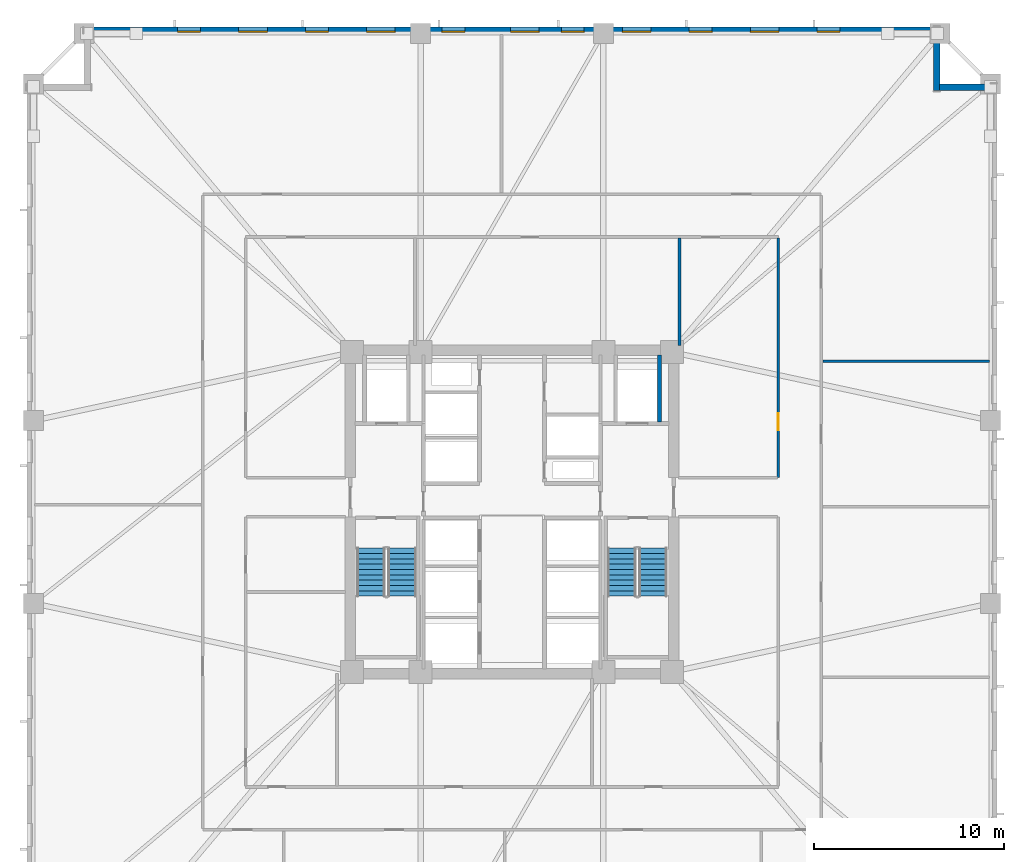
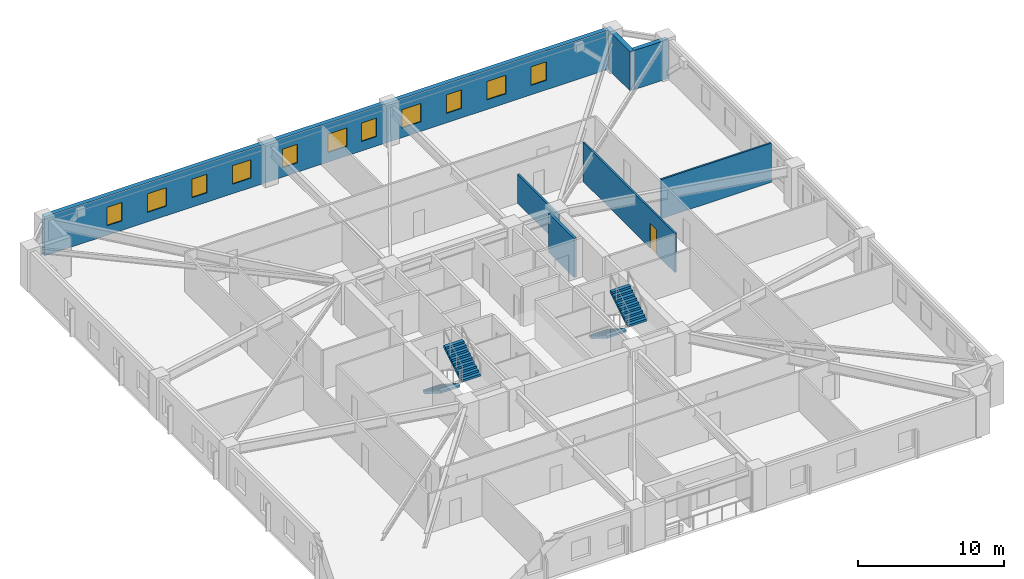
# One storey, part 6 of 11: 11 windows, 7 walls, 4 stair flights, 1 door, 12 openings, 2 elements without a shape of their own.
"""IFC4 building model written with IfcOpenShell, lengths in metres."""

from ifc_helpers import new_model, si_unit, direction, frame, frame_2d, origin, place, context, subcontext, project, spatial, polyline, rectangle, outline, extrude, material, layer, layer_set, type_object, element, fill, aggregate, save


model = new_model("IFC4")

# Units and contexts
model_context = context("Model", 3, precision=1e-05, world=origin(), true_north=direction((0.0, 1.0)))
body_context = subcontext(model_context, "Body", "Model", "MODEL_VIEW")
ifc_project = project(units=[si_unit("LENGTHUNIT", "METRE"), si_unit("AREAUNIT", "SQUARE_METRE"), si_unit("VOLUMEUNIT", "CUBIC_METRE"), si_unit("PLANEANGLEUNIT", "RADIAN"), si_unit("MASSUNIT", "GRAM", prefix="KILO")], contexts=[model_context])

# Site, building, storey
site_placement = place(None, origin())
site = spatial("IfcSite", under=ifc_project, at=site_placement, CompositionType="ELEMENT")
building_placement = place(site_placement, origin())
building = spatial("IfcBuilding", under=site, at=building_placement, Name="Cairnveth Concourse Tower", CompositionType="ELEMENT")
storey_placement = place(building_placement, frame((0.0, 0.0, 41.0)))
storey = spatial("IfcBuildingStorey", under=building, at=storey_placement, Name="L10", CompositionType="ELEMENT", Elevation=41.0)

# Wall
ifc_material_1 = material(Name="Concrete N50 (50 MPa)", Category="concrete")
ifc_layer_1 = layer(ifc_material_1, 0.199951171875)
ifc_layer_set_1 = layer_set([ifc_layer_1], Name="Concrete N50 (50 MPa)")
wall_type_1 = type_object("IfcWallType", Name="FIRE SHAFT WALL 200", PredefinedType="SOLIDWALL", material=ifc_layer_set_1)
wall_1_placement = place(storey_placement, frame((59.75, 43.735107421875, 0.0), z_axis=(0.0, 0.0, 1.0), x_axis=(0.0, 1.0, 0.0)))
element("IfcWall", 1, at=wall_1_placement, inside=storey, type_object=wall_type_1, Name="Interior Wall IW-L10-024", PredefinedType="SOLIDWALL", context=body_context, shape_type="SweptSolid", body=[
    extrude(rectangle(XDim=3.5048828125, YDim=0.199951171875, at=frame_2d((1.75244140625, 0.0))), origin(), (0.0, 0.0, 1.0), 3.280029296875),
])

# Wall, opening, door
ifc_material_2 = material(Name="Gypsum Plasterboard Partition", Category="gypsum")
ifc_layer_2 = layer(ifc_material_2, 0.139892578125)
ifc_layer_set_2 = layer_set([ifc_layer_2], Name="Gypsum Plasterboard Partition")
wall_type_2 = type_object("IfcWallType", Name="GYPSUM STUD PARTITION 140", PredefinedType="PARTITIONING", material=ifc_layer_set_2)
wall_2_placement = place(storey_placement, frame((66.0, 40.800048828125, 0.0), z_axis=(0.0, 0.0, 1.0), x_axis=(0.0, 1.0, 0.0)))
wall_2 = element("IfcWall", 2, at=wall_2_placement, inside=storey, type_object=wall_type_2, Name="Interior Wall IW-L10-048", PredefinedType="PARTITIONING", context=body_context, shape_type="SweptSolid", body=[
    extrude(rectangle(XDim=12.594970703125, YDim=0.139892578125, at=frame_2d((6.29736328125, 0.0))), origin(), (0.0, 0.0, 1.0), 3.280029296875),
])
opening_1_placement = place(wall_2_placement, frame((2.5, 0.0, 0.0)))
opening_1 = element("IfcOpeningElement", 3, at=opening_1_placement, cuts=wall_2, Name="Opening ID18", PredefinedType="OPENING", context=body_context, shape_type="SweptSolid", body=[
    extrude(rectangle(XDim=0.8798828125, YDim=2.10009765625, at=frame_2d((0.43994140625, 1.050048828125))), frame((0.0, 0.079833984375, 0.0), z_axis=(0.0, -1.0, 0.0), x_axis=(1.0, 0.0, 0.0)), (0.0, 0.0, 1.0), 0.159912109375),
])
ifc_material_3 = material(Name="Solid Core Hardwood Timber Leaf", Category="wood")
door_type = type_object("IfcDoorType", Name="INTERIOR SINGLE DOOR 880X2100", OperationType="NOTDEFINED", PredefinedType="DOOR", material=ifc_material_3)
door_placement = place(opening_1_placement, origin())
door = element("IfcDoor", 4, at=door_placement, inside=storey, type_object=door_type, Name="Interior Door DR-L10-023", OperationType="SINGLE_SWING_LEFT", OverallHeight=2.10009765625, OverallWidth=0.8798828125, PredefinedType="DOOR", context=body_context, shape_type="SweptSolid", body=[
    extrude(rectangle(XDim=0.8798828125, YDim=2.10009765625, at=frame_2d((0.43994140625, 1.050048828125))), frame((0.0, 0.02490234375, 0.0), z_axis=(0.0, -1.0, 0.0), x_axis=(1.0, 0.0, 0.0)), (0.0, 0.0, 1.0), 0.050048828125),
])
fill(opening_1, door)

# Walls
wall_3_placement = place(storey_placement, frame((60.800048828125, 47.760009765625, 0.0), z_axis=(0.0, 0.0, 1.0), x_axis=(0.0, 1.0, 0.0)))
element("IfcWall", 5, at=wall_3_placement, inside=storey, type_object=wall_type_2, Name="Interior Wall IW-L10-054", PredefinedType="PARTITIONING", context=body_context, shape_type="SweptSolid", body=[
    extrude(rectangle(XDim=5.635009765625, YDim=0.139892578125, at=frame_2d((2.8173828125, 0.0))), origin(), (0.0, 0.0, 1.0), 2.43896484375),
])
wall_4_placement = place(storey_placement, frame((68.35009765625, 46.913330078125, 0.0), z_axis=(0.0, 0.0, 1.0), x_axis=(1.0, 0.0, 0.0)))
element("IfcWall", 6, at=wall_4_placement, inside=storey, type_object=wall_type_2, Name="Interior Wall IW-L10-063", PredefinedType="PARTITIONING", context=body_context, shape_type="SweptSolid", body=[
    extrude(rectangle(XDim=8.72998046875, YDim=0.139892578125, at=frame_2d((4.364990234375, 0.0))), origin(), (0.0, 0.0, 1.0), 3.280029296875),
])

# Wall, openings, windows
ifc_material_4 = material(Name="Hawthorn Red-Ochre Fired Clay Brick Masonry", Category="masonry")
ifc_layer_3 = layer(ifc_material_4, 0.360107421875)
ifc_layer_set_3 = layer_set([ifc_layer_3], Name="Hawthorn Red-Ochre Fired Clay Brick Masonry")
wall_type_3 = type_object("IfcWallType", Name="ZONE 1 BRICK PIER SPANDREL WALL 360", PredefinedType="SOLIDWALL", material=ifc_layer_set_3)
wall_5_placement = place(storey_placement, frame((29.5, 64.320068359375, 0.0), z_axis=(0.0, 0.0, 1.0), x_axis=(1.0, 0.0, 0.0)))
wall_5 = element("IfcWall", 7, at=wall_5_placement, inside=storey, type_object=wall_type_3, Name="Exterior Wall EW-L10-S06", PredefinedType="SOLIDWALL", context=body_context, shape_type="SweptSolid", body=[
    extrude(rectangle(XDim=44.662109375, YDim=0.360107421875, at=frame_2d((22.3310546875, 0.0))), origin(), (0.0, 0.0, 1.0), 3.280029296875),
])
opening_2_placement = place(wall_5_placement, frame((4.93017578125, 0.0, 0.800048828125)))
opening_2 = element("IfcOpeningElement", 8, at=opening_2_placement, cuts=wall_5, Name="Opening W01", PredefinedType="OPENING", context=body_context, shape_type="SweptSolid", body=[
    extrude(rectangle(XDim=1.199951171875, YDim=1.5439453125, at=frame_2d((0.60009765625, 0.77197265625))), frame((0.0, 0.18994140625, 0.0), z_axis=(0.0, -1.0, 0.0), x_axis=(1.0, 0.0, 0.0)), (0.0, 0.0, 1.0), 0.380126953125),
])
opening_3_placement = place(wall_5_placement, frame((8.140380859375, 0.0, 0.800048828125)))
opening_3 = element("IfcOpeningElement", 9, at=opening_3_placement, cuts=wall_5, Name="Opening W03", PredefinedType="OPENING", context=body_context, shape_type="SweptSolid", body=[
    extrude(rectangle(XDim=1.5, YDim=1.5439453125, at=frame_2d((0.75, 0.77197265625))), frame((0.0, 0.18994140625, 0.0), z_axis=(0.0, -1.0, 0.0), x_axis=(1.0, 0.0, 0.0)), (0.0, 0.0, 1.0), 0.380126953125),
])
opening_4_placement = place(wall_5_placement, frame((11.650390625, 0.0, 0.800048828125)))
opening_4 = element("IfcOpeningElement", 10, at=opening_4_placement, cuts=wall_5, Name="Opening W01", PredefinedType="OPENING", context=body_context, shape_type="SweptSolid", body=[
    extrude(rectangle(XDim=1.199951171875, YDim=1.5439453125, at=frame_2d((0.60009765625, 0.77197265625))), frame((0.0, 0.18994140625, 0.0), z_axis=(0.0, -1.0, 0.0), x_axis=(1.0, 0.0, 0.0)), (0.0, 0.0, 1.0), 0.380126953125),
])
opening_5_placement = place(wall_5_placement, frame((14.860595703125, 0.0, 0.800048828125)))
opening_5 = element("IfcOpeningElement", 11, at=opening_5_placement, cuts=wall_5, Name="Opening W03", PredefinedType="OPENING", context=body_context, shape_type="SweptSolid", body=[
    extrude(rectangle(XDim=1.5, YDim=1.5439453125, at=frame_2d((0.75, 0.77197265625))), frame((0.0, 0.18994140625, 0.0), z_axis=(0.0, -1.0, 0.0), x_axis=(1.0, 0.0, 0.0)), (0.0, 0.0, 1.0), 0.380126953125),
])
opening_6_placement = place(wall_5_placement, frame((18.82080078125, 0.0, 0.800048828125)))
opening_6 = element("IfcOpeningElement", 12, at=opening_6_placement, cuts=wall_5, Name="Opening W01", PredefinedType="OPENING", context=body_context, shape_type="SweptSolid", body=[
    extrude(rectangle(XDim=1.199951171875, YDim=1.5439453125, at=frame_2d((0.60009765625, 0.77197265625))), frame((0.0, 0.18994140625, 0.0), z_axis=(0.0, -1.0, 0.0), x_axis=(1.0, 0.0, 0.0)), (0.0, 0.0, 1.0), 0.380126953125),
])
opening_7_placement = place(wall_5_placement, frame((22.430908203125, 0.0, 0.800048828125)))
opening_7 = element("IfcOpeningElement", 13, at=opening_7_placement, cuts=wall_5, Name="Opening W03", PredefinedType="OPENING", context=body_context, shape_type="SweptSolid", body=[
    extrude(rectangle(XDim=1.5, YDim=1.5439453125, at=frame_2d((0.75, 0.77197265625))), frame((0.0, 0.18994140625, 0.0), z_axis=(0.0, -1.0, 0.0), x_axis=(1.0, 0.0, 0.0)), (0.0, 0.0, 1.0), 0.380126953125),
])
opening_8_placement = place(wall_5_placement, frame((25.09130859375, 0.0, 0.800048828125)))
opening_8 = element("IfcOpeningElement", 14, at=opening_8_placement, cuts=wall_5, Name="Opening W01", PredefinedType="OPENING", context=body_context, shape_type="SweptSolid", body=[
    extrude(rectangle(XDim=1.199951171875, YDim=1.5439453125, at=frame_2d((0.60009765625, 0.77197265625))), frame((0.0, 0.18994140625, 0.0), z_axis=(0.0, -1.0, 0.0), x_axis=(1.0, 0.0, 0.0)), (0.0, 0.0, 1.0), 0.380126953125),
])
opening_9_placement = place(wall_5_placement, frame((28.301513671875, 0.0, 0.800048828125)))
opening_9 = element("IfcOpeningElement", 15, at=opening_9_placement, cuts=wall_5, Name="Opening W03", PredefinedType="OPENING", context=body_context, shape_type="SweptSolid", body=[
    extrude(rectangle(XDim=1.5, YDim=1.5439453125, at=frame_2d((0.75, 0.77197265625))), frame((0.0, 0.18994140625, 0.0), z_axis=(0.0, -1.0, 0.0), x_axis=(1.0, 0.0, 0.0)), (0.0, 0.0, 1.0), 0.380126953125),
])
opening_10_placement = place(wall_5_placement, frame((31.8115234375, 0.0, 0.800048828125)))
opening_10 = element("IfcOpeningElement", 16, at=opening_10_placement, cuts=wall_5, Name="Opening W01", PredefinedType="OPENING", context=body_context, shape_type="SweptSolid", body=[
    extrude(rectangle(XDim=1.199951171875, YDim=1.5439453125, at=frame_2d((0.60009765625, 0.77197265625))), frame((0.0, 0.18994140625, 0.0), z_axis=(0.0, -1.0, 0.0), x_axis=(1.0, 0.0, 0.0)), (0.0, 0.0, 1.0), 0.380126953125),
])
opening_11_placement = place(wall_5_placement, frame((35.021728515625, 0.0, 0.800048828125)))
opening_11 = element("IfcOpeningElement", 17, at=opening_11_placement, cuts=wall_5, Name="Opening W03", PredefinedType="OPENING", context=body_context, shape_type="SweptSolid", body=[
    extrude(rectangle(XDim=1.5, YDim=1.5439453125, at=frame_2d((0.75, 0.77197265625))), frame((0.0, 0.18994140625, 0.0), z_axis=(0.0, -1.0, 0.0), x_axis=(1.0, 0.0, 0.0)), (0.0, 0.0, 1.0), 0.380126953125),
])
opening_12_placement = place(wall_5_placement, frame((38.531982421875, 0.0, 0.800048828125)))
opening_12 = element("IfcOpeningElement", 18, at=opening_12_placement, cuts=wall_5, Name="Opening W01", PredefinedType="OPENING", context=body_context, shape_type="SweptSolid", body=[
    extrude(rectangle(XDim=1.199951171875, YDim=1.5439453125, at=frame_2d((0.60009765625, 0.77197265625))), frame((0.0, 0.18994140625, 0.0), z_axis=(0.0, -1.0, 0.0), x_axis=(1.0, 0.0, 0.0)), (0.0, 0.0, 1.0), 0.380126953125),
])
ifc_material_5 = material(Name="Double Glazed Low-E Clear Glass", Category="glass")
window_type_1 = type_object("IfcWindowType", Name="DEEP-SET GOTHIC LANCET WINDOW 1200X1800", PartitioningType="DOUBLE_PANEL_VERTICAL", PredefinedType="WINDOW", material=ifc_material_5)
window_1_placement = place(opening_2_placement, origin())
window_1 = element("IfcWindow", 19, at=window_1_placement, inside=storey, type_object=window_type_1, Name="Gothic Lancet Window L10-6-1", OverallHeight=1.5439453125, OverallWidth=1.199951171875, PartitioningType="SINGLE_PANEL", PredefinedType="WINDOW", context=body_context, shape_type="SweptSolid", body=[
    extrude(rectangle(XDim=1.199951171875, YDim=1.5439453125, at=frame_2d((0.60009765625, 0.77197265625))), frame((0.0, -0.050048828125, 0.0), z_axis=(0.0, -1.0, 0.0), x_axis=(1.0, 0.0, 0.0)), (0.0, 0.0, 1.0), 0.06005859375),
])
fill(opening_2, window_1)
window_2_placement = place(opening_4_placement, origin())
window_2 = element("IfcWindow", 20, at=window_2_placement, inside=storey, type_object=window_type_1, Name="Gothic Lancet Window L10-6-3", OverallHeight=1.5439453125, OverallWidth=1.199951171875, PartitioningType="SINGLE_PANEL", PredefinedType="WINDOW", context=body_context, shape_type="SweptSolid", body=[
    extrude(rectangle(XDim=1.199951171875, YDim=1.5439453125, at=frame_2d((0.60009765625, 0.77197265625))), frame((0.0, -0.050048828125, 0.0), z_axis=(0.0, -1.0, 0.0), x_axis=(1.0, 0.0, 0.0)), (0.0, 0.0, 1.0), 0.06005859375),
])
fill(opening_4, window_2)
window_3_placement = place(opening_6_placement, origin())
window_3 = element("IfcWindow", 21, at=window_3_placement, inside=storey, type_object=window_type_1, Name="Gothic Lancet Window L10-6-5", OverallHeight=1.5439453125, OverallWidth=1.199951171875, PartitioningType="SINGLE_PANEL", PredefinedType="WINDOW", context=body_context, shape_type="SweptSolid", body=[
    extrude(rectangle(XDim=1.199951171875, YDim=1.5439453125, at=frame_2d((0.60009765625, 0.77197265625))), frame((0.0, -0.050048828125, 0.0), z_axis=(0.0, -1.0, 0.0), x_axis=(1.0, 0.0, 0.0)), (0.0, 0.0, 1.0), 0.06005859375),
])
fill(opening_6, window_3)
window_4_placement = place(opening_8_placement, origin())
window_4 = element("IfcWindow", 22, at=window_4_placement, inside=storey, type_object=window_type_1, Name="Gothic Lancet Window L10-6-7", OverallHeight=1.5439453125, OverallWidth=1.199951171875, PartitioningType="SINGLE_PANEL", PredefinedType="WINDOW", context=body_context, shape_type="SweptSolid", body=[
    extrude(rectangle(XDim=1.199951171875, YDim=1.5439453125, at=frame_2d((0.60009765625, 0.77197265625))), frame((0.0, -0.050048828125, 0.0), z_axis=(0.0, -1.0, 0.0), x_axis=(1.0, 0.0, 0.0)), (0.0, 0.0, 1.0), 0.06005859375),
])
fill(opening_8, window_4)
window_5_placement = place(opening_10_placement, origin())
window_5 = element("IfcWindow", 23, at=window_5_placement, inside=storey, type_object=window_type_1, Name="Gothic Lancet Window L10-6-9", OverallHeight=1.5439453125, OverallWidth=1.199951171875, PartitioningType="SINGLE_PANEL", PredefinedType="WINDOW", context=body_context, shape_type="SweptSolid", body=[
    extrude(rectangle(XDim=1.199951171875, YDim=1.5439453125, at=frame_2d((0.60009765625, 0.77197265625))), frame((0.0, -0.050048828125, 0.0), z_axis=(0.0, -1.0, 0.0), x_axis=(1.0, 0.0, 0.0)), (0.0, 0.0, 1.0), 0.06005859375),
])
fill(opening_10, window_5)
window_6_placement = place(opening_12_placement, origin())
window_6 = element("IfcWindow", 24, at=window_6_placement, inside=storey, type_object=window_type_1, Name="Gothic Lancet Window L10-6-11", OverallHeight=1.5439453125, OverallWidth=1.199951171875, PartitioningType="SINGLE_PANEL", PredefinedType="WINDOW", context=body_context, shape_type="SweptSolid", body=[
    extrude(rectangle(XDim=1.199951171875, YDim=1.5439453125, at=frame_2d((0.60009765625, 0.77197265625))), frame((0.0, -0.050048828125, 0.0), z_axis=(0.0, -1.0, 0.0), x_axis=(1.0, 0.0, 0.0)), (0.0, 0.0, 1.0), 0.06005859375),
])
fill(opening_12, window_6)
window_type_2 = type_object("IfcWindowType", Name="DEEP-SET GOTHIC LANCET WINDOW 1500X1800", PartitioningType="DOUBLE_PANEL_VERTICAL", PredefinedType="WINDOW", material=ifc_material_5)
window_7_placement = place(opening_3_placement, origin())
window_7 = element("IfcWindow", 25, at=window_7_placement, inside=storey, type_object=window_type_2, Name="Gothic Lancet Window L10-6-2", OverallHeight=1.5439453125, OverallWidth=1.5, PartitioningType="SINGLE_PANEL", PredefinedType="WINDOW", context=body_context, shape_type="SweptSolid", body=[
    extrude(rectangle(XDim=1.5, YDim=1.5439453125, at=frame_2d((0.75, 0.77197265625))), frame((0.0, -0.050048828125, 0.0), z_axis=(0.0, -1.0, 0.0), x_axis=(1.0, 0.0, 0.0)), (0.0, 0.0, 1.0), 0.06005859375),
])
fill(opening_3, window_7)
window_8_placement = place(opening_5_placement, origin())
window_8 = element("IfcWindow", 26, at=window_8_placement, inside=storey, type_object=window_type_2, Name="Gothic Lancet Window L10-6-4", OverallHeight=1.5439453125, OverallWidth=1.5, PartitioningType="SINGLE_PANEL", PredefinedType="WINDOW", context=body_context, shape_type="SweptSolid", body=[
    extrude(rectangle(XDim=1.5, YDim=1.5439453125, at=frame_2d((0.75, 0.77197265625))), frame((0.0, -0.050048828125, 0.0), z_axis=(0.0, -1.0, 0.0), x_axis=(1.0, 0.0, 0.0)), (0.0, 0.0, 1.0), 0.06005859375),
])
fill(opening_5, window_8)
window_9_placement = place(opening_7_placement, origin())
window_9 = element("IfcWindow", 27, at=window_9_placement, inside=storey, type_object=window_type_2, Name="Gothic Lancet Window L10-6-6", OverallHeight=1.5439453125, OverallWidth=1.5, PartitioningType="SINGLE_PANEL", PredefinedType="WINDOW", context=body_context, shape_type="SweptSolid", body=[
    extrude(rectangle(XDim=1.5, YDim=1.5439453125, at=frame_2d((0.75, 0.77197265625))), frame((0.0, -0.050048828125, 0.0), z_axis=(0.0, -1.0, 0.0), x_axis=(1.0, 0.0, 0.0)), (0.0, 0.0, 1.0), 0.06005859375),
])
fill(opening_7, window_9)
window_10_placement = place(opening_9_placement, origin())
window_10 = element("IfcWindow", 28, at=window_10_placement, inside=storey, type_object=window_type_2, Name="Gothic Lancet Window L10-6-8", OverallHeight=1.5439453125, OverallWidth=1.5, PartitioningType="SINGLE_PANEL", PredefinedType="WINDOW", context=body_context, shape_type="SweptSolid", body=[
    extrude(rectangle(XDim=1.5, YDim=1.5439453125, at=frame_2d((0.75, 0.77197265625))), frame((0.0, -0.050048828125, 0.0), z_axis=(0.0, -1.0, 0.0), x_axis=(1.0, 0.0, 0.0)), (0.0, 0.0, 1.0), 0.06005859375),
])
fill(opening_9, window_10)
window_11_placement = place(opening_11_placement, origin())
window_11 = element("IfcWindow", 29, at=window_11_placement, inside=storey, type_object=window_type_2, Name="Gothic Lancet Window L10-6-10", OverallHeight=1.5439453125, OverallWidth=1.5, PartitioningType="SINGLE_PANEL", PredefinedType="WINDOW", context=body_context, shape_type="SweptSolid", body=[
    extrude(rectangle(XDim=1.5, YDim=1.5439453125, at=frame_2d((0.75, 0.77197265625))), frame((0.0, -0.050048828125, 0.0), z_axis=(0.0, -1.0, 0.0), x_axis=(1.0, 0.0, 0.0)), (0.0, 0.0, 1.0), 0.06005859375),
])
fill(opening_11, window_11)

# Walls
wall_6_placement = place(storey_placement, frame((74.320068359375, 64.5, 0.0), z_axis=(0.0, 0.0, 1.0), x_axis=(0.0, -1.0, 0.0)))
element("IfcWall", 30, at=wall_6_placement, inside=storey, type_object=wall_type_3, Name="Exterior Wall EW-L10-S07", PredefinedType="SOLIDWALL", context=body_context, shape_type="SweptSolid", body=[
    extrude(rectangle(XDim=3.360107421875, YDim=0.360107421875, at=frame_2d((1.68017578125, 0.0))), origin(), (0.0, 0.0, 1.0), 3.280029296875),
])
wall_7_placement = place(storey_placement, frame((74.47802734375, 61.320068359375, 0.0), z_axis=(0.0, 0.0, 1.0), x_axis=(1.0, 0.0, 0.0)))
element("IfcWall", 31, at=wall_7_placement, inside=storey, type_object=wall_type_3, Name="Exterior Wall EW-L10-S08", PredefinedType="SOLIDWALL", context=body_context, shape_type="SweptSolid", body=[
    extrude(rectangle(XDim=2.68408203125, YDim=0.360107421875, at=frame_2d((1.342041015625, 0.0))), origin(), (0.0, 0.0, 1.0), 3.280029296875),
])

# Stair, stair flights
ifc_material_6 = material(Name="Precast concrete N50 (50 MPa)", Category="concrete")
stair_type = type_object("IfcStairType", Name="CORE DOG-LEG FIRE STAIR 1500", PredefinedType="HALF_TURN_STAIR", material=ifc_material_6)
stair_1_placement = place(storey_placement, origin())
stair_1 = element("IfcStair", 32, at=stair_1_placement, inside=storey, type_object=stair_type, Name="L10 Fire-Isolated Stair ST-1", PredefinedType="HALF_TURN_STAIR")
stair_flight_type = type_object("IfcStairFlightType", Name="PRECAST CONCRETE STAIR FLIGHT 1500", PredefinedType="STRAIGHT", material=ifc_material_6)
stair_flight_1_placement = place(storey_placement, frame((44.590087890625, 37.10009765625, 0.0), z_axis=(0.0, 0.0, 1.0), x_axis=(0.0, -1.0, 0.0)))
stair_flight_1 = element("IfcStairFlight", 33, at=stair_flight_1_placement, type_object=stair_flight_type, Name="ST-1 flight 1", NumberOfRisers=10, NumberOfTreads=9, PredefinedType="STRAIGHT", RiserHeight=0.175, TreadLength=0.28, context=body_context, shape_type="SweptSolid", body=[
    extrude(outline(polyline([(0.0, 0.0), (0.0, 0.175048828125), (0.280029296875, 0.175048828125), (0.280029296875, 0.35009765625), (0.56005859375, 0.35009765625), (0.56005859375, 0.52490234375), (0.840087890625, 0.52490234375), (0.840087890625, 0.699951171875), (1.1201171875, 0.699951171875), (1.1201171875, 0.875), (1.39990234375, 0.875), (1.39990234375, 1.050048828125), (1.679931640625, 1.050048828125), (1.679931640625, 1.22509765625), (1.9599609375, 1.22509765625), (1.9599609375, 1.39990234375), (2.239990234375, 1.39990234375), (2.239990234375, 1.574951171875), (2.52001953125, 1.574951171875), (2.52001953125, 1.75), (2.52001953125, 1.398193359375), (0.28271484375, 0.0), (0.0, 0.0)])), frame((0.0, 0.75, 0.0), z_axis=(0.0, -1.0, 0.0), x_axis=(1.0, 0.0, 0.0)), (0.0, 0.0, 1.0), 1.5),
])
stair_flight_2_placement = place(storey_placement, frame((46.22998046875, 34.580078125, 1.75), z_axis=(0.0, 0.0, 1.0), x_axis=(0.0, 1.0, 0.0)))
stair_flight_2 = element("IfcStairFlight", 34, at=stair_flight_2_placement, type_object=stair_flight_type, Name="ST-1 flight 2", NumberOfRisers=10, NumberOfTreads=9, PredefinedType="STRAIGHT", RiserHeight=0.175, TreadLength=0.28, context=body_context, shape_type="SweptSolid", body=[
    extrude(outline(polyline([(0.0, 0.0), (0.0, 0.175048828125), (0.280029296875, 0.175048828125), (0.280029296875, 0.35009765625), (0.56005859375, 0.35009765625), (0.56005859375, 0.52490234375), (0.840087890625, 0.52490234375), (0.840087890625, 0.699951171875), (1.1201171875, 0.699951171875), (1.1201171875, 0.875), (1.39990234375, 0.875), (1.39990234375, 1.050048828125), (1.679931640625, 1.050048828125), (1.679931640625, 1.22509765625), (1.9599609375, 1.22509765625), (1.9599609375, 1.39990234375), (2.239990234375, 1.39990234375), (2.239990234375, 1.574951171875), (2.52001953125, 1.574951171875), (2.52001953125, 1.75), (2.52001953125, 1.398193359375), (0.28271484375, 0.0), (0.0, 0.0)])), frame((0.0, 0.75, 0.0), z_axis=(0.0, -1.0, 0.0), x_axis=(1.0, 0.0, 0.0)), (0.0, 0.0, 1.0), 1.5),
])
aggregate(stair_1, [stair_flight_1, stair_flight_2])

stair_2_placement = place(storey_placement, origin())
stair_2 = element("IfcStair", 35, at=stair_2_placement, inside=storey, type_object=stair_type, Name="L10 Fire-Isolated Stair ST-2", PredefinedType="HALF_TURN_STAIR")
stair_flight_3_placement = place(storey_placement, frame((57.77001953125, 37.10009765625, 0.0), z_axis=(0.0, 0.0, 1.0), x_axis=(0.0, -1.0, 0.0)))
stair_flight_3 = element("IfcStairFlight", 36, at=stair_flight_3_placement, type_object=stair_flight_type, Name="ST-2 flight 1", NumberOfRisers=10, NumberOfTreads=9, PredefinedType="STRAIGHT", RiserHeight=0.175, TreadLength=0.28, context=body_context, shape_type="SweptSolid", body=[
    extrude(outline(polyline([(0.0, 0.0), (0.0, 0.175048828125), (0.280029296875, 0.175048828125), (0.280029296875, 0.35009765625), (0.56005859375, 0.35009765625), (0.56005859375, 0.52490234375), (0.840087890625, 0.52490234375), (0.840087890625, 0.699951171875), (1.1201171875, 0.699951171875), (1.1201171875, 0.875), (1.39990234375, 0.875), (1.39990234375, 1.050048828125), (1.679931640625, 1.050048828125), (1.679931640625, 1.22509765625), (1.9599609375, 1.22509765625), (1.9599609375, 1.39990234375), (2.239990234375, 1.39990234375), (2.239990234375, 1.574951171875), (2.52001953125, 1.574951171875), (2.52001953125, 1.75), (2.52001953125, 1.398193359375), (0.28271484375, 0.0), (0.0, 0.0)])), frame((0.0, 0.75, 0.0), z_axis=(0.0, -1.0, 0.0), x_axis=(1.0, 0.0, 0.0)), (0.0, 0.0, 1.0), 1.5),
])
stair_flight_4_placement = place(storey_placement, frame((59.409912109375, 34.580078125, 1.75), z_axis=(0.0, 0.0, 1.0), x_axis=(0.0, 1.0, 0.0)))
stair_flight_4 = element("IfcStairFlight", 37, at=stair_flight_4_placement, type_object=stair_flight_type, Name="ST-2 flight 2", NumberOfRisers=10, NumberOfTreads=9, PredefinedType="STRAIGHT", RiserHeight=0.175, TreadLength=0.28, context=body_context, shape_type="SweptSolid", body=[
    extrude(outline(polyline([(0.0, 0.0), (0.0, 0.175048828125), (0.280029296875, 0.175048828125), (0.280029296875, 0.35009765625), (0.56005859375, 0.35009765625), (0.56005859375, 0.52490234375), (0.840087890625, 0.52490234375), (0.840087890625, 0.699951171875), (1.1201171875, 0.699951171875), (1.1201171875, 0.875), (1.39990234375, 0.875), (1.39990234375, 1.050048828125), (1.679931640625, 1.050048828125), (1.679931640625, 1.22509765625), (1.9599609375, 1.22509765625), (1.9599609375, 1.39990234375), (2.239990234375, 1.39990234375), (2.239990234375, 1.574951171875), (2.52001953125, 1.574951171875), (2.52001953125, 1.75), (2.52001953125, 1.398193359375), (0.28271484375, 0.0), (0.0, 0.0)])), frame((0.0, 0.75, 0.0), z_axis=(0.0, -1.0, 0.0), x_axis=(1.0, 0.0, 0.0)), (0.0, 0.0, 1.0), 1.5),
])
aggregate(stair_2, [stair_flight_3, stair_flight_4])

save(model, "model.ifc")
